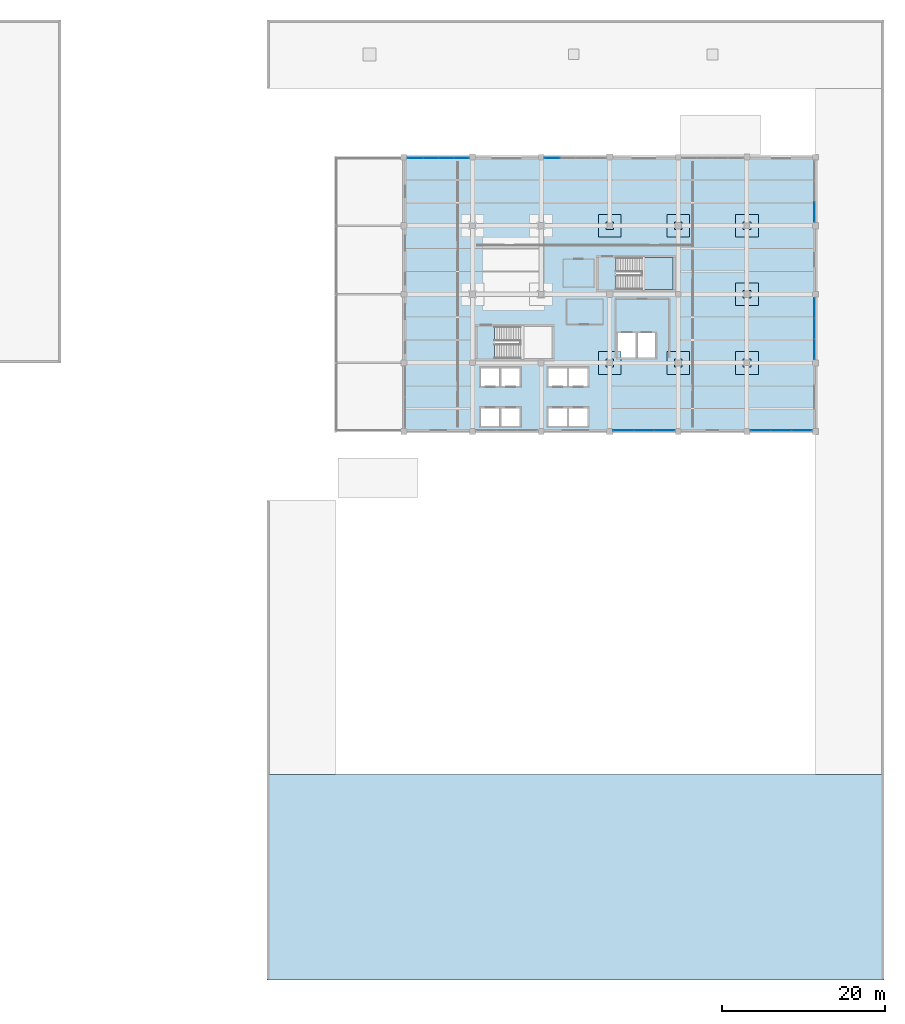
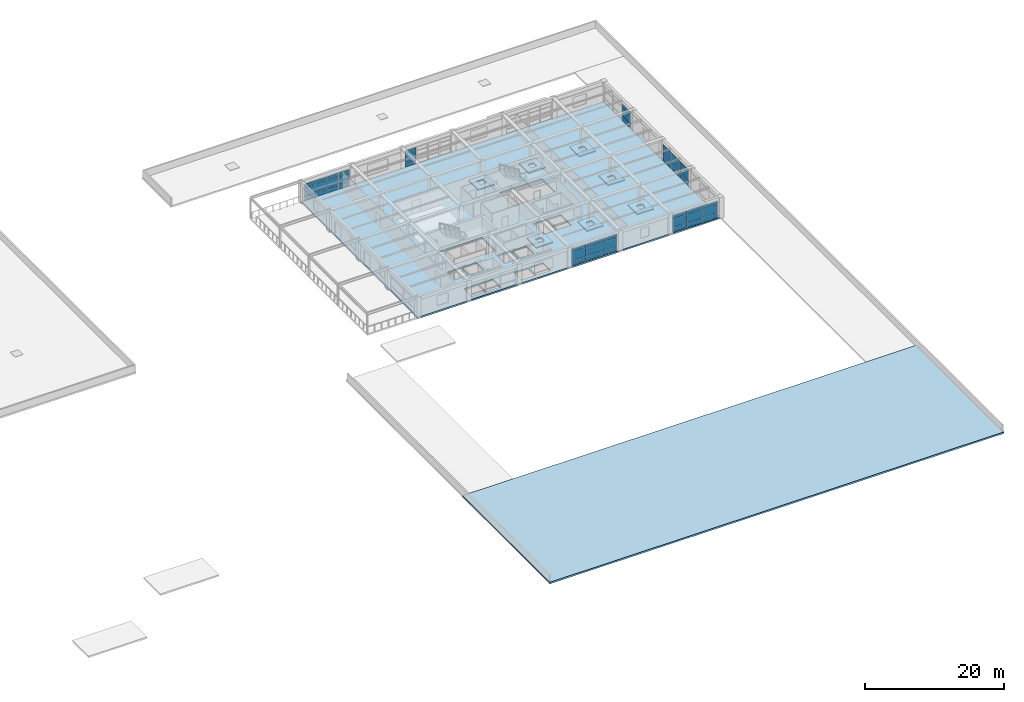
# One storey, part 28 of 35: 45 plates, 10 slabs, 7 elements without a shape of their own.
"""IFC4 building model written with IfcOpenShell, lengths in metres."""

import ifcopenshell
import ifcopenshell.guid

model = None  # the IFC model being written
_history = None  # IfcOwnerHistory: only IFC2X3 demands one
_inside = {}  # id of a spatial element -> (the spatial element, [elements in it])
_under = {}  # id of a project, library or spatial element -> (it, [spatial elements below it])
_declared = {}  # id of a project -> (the project, [libraries it declares])
_typed = {}  # id of a type object -> (the type object, [elements of that type])
_made_of = {}  # id of a material, layer set ... -> (it, [elements and type objects made of it])


def new_model(schema):
    """Start an empty IFC model of exactly this schema.

    Asked for "IFC4X3", IfcOpenShell would pick the latest addendum, in which some entities
    have other attributes; the version numbers below select the first issue.
    IFC2X3 requires an IfcOwnerHistory on every rooted entity: one is made here for all.
    """
    global model, _history
    if schema == "IFC4X3":
        model = ifcopenshell.file(schema_version=(4, 3, 0, 0))
    else:
        model = ifcopenshell.file(schema=schema)
    _inside.clear()
    _under.clear()
    _declared.clear()
    _typed.clear()
    _made_of.clear()
    _history = None
    if model.schema == "IFC2X3":
        org = make("IfcOrganization", Name="unknown")
        user = make(
            "IfcPersonAndOrganization",
            ThePerson=make("IfcPerson", FamilyName="unknown"),
            TheOrganization=org,
        )
        app = make(
            "IfcApplication",
            ApplicationDeveloper=org,
            Version="unknown",
            ApplicationFullName="unknown",
            ApplicationIdentifier="unknown",
        )
        _history = make(
            "IfcOwnerHistory",
            OwningUser=user,
            OwningApplication=app,
            ChangeAction="ADDED",
            CreationDate=0,
        )
    return model


def make(cls, **values):
    """One entity of the class cls with the attributes given. An attribute that is None is left unset."""
    return model.create_entity(
        cls, **{name: value for name, value in values.items() if value is not None}
    )


def rooted(cls, **values):
    """An entity with a GlobalId (a new one), such as an element, a storey or a relation."""
    return make(cls, GlobalId=ifcopenshell.guid.new(), OwnerHistory=_history, **values)


def si_unit(unit_type, name, prefix=None):
    """IfcSIUnit, for example si_unit("LENGTHUNIT", "METRE", prefix="MILLI")."""
    return make("IfcSIUnit", UnitType=unit_type, Prefix=prefix, Name=name)


def assignment(units):
    """IfcUnitAssignment: the units of a project."""
    return None if units is None else make("IfcUnitAssignment", Units=units)


def point(xyz):
    """IfcCartesianPoint."""
    return None if xyz is None else make("IfcCartesianPoint", Coordinates=xyz)


def direction(xyz):
    """IfcDirection."""
    return None if xyz is None else make("IfcDirection", DirectionRatios=xyz)


def frame(location, z_axis=None, x_axis=None):
    """IfcAxis2Placement3D, a coordinate frame: its origin and axes. An axis left out is left unset."""
    return make(
        "IfcAxis2Placement3D",
        Location=point(location),
        Axis=direction(z_axis),
        RefDirection=direction(x_axis),
    )


def frame_2d(location, x_axis=None):
    """IfcAxis2Placement2D, a coordinate frame in the plane: its origin and x axis."""
    return make(
        "IfcAxis2Placement2D", Location=point(location), RefDirection=direction(x_axis)
    )


def origin():
    """The frame at (0, 0, 0) with its axes left unset."""
    return frame((0.0, 0.0, 0.0))


def origin_2d():
    """The frame at (0, 0) in the plane with its x axis left unset."""
    return frame_2d((0.0, 0.0))


def place(relative_to, where):
    """IfcLocalPlacement: puts the frame where relative to a parent placement (None: the world)."""
    return make(
        "IfcLocalPlacement", PlacementRelTo=relative_to, RelativePlacement=where
    )


def context(
    kind, dimensions, precision=None, world=None, true_north=None, identifier=None
):
    """IfcGeometricRepresentationContext, for example the 3D "Model" context."""
    return make(
        "IfcGeometricRepresentationContext",
        ContextIdentifier=identifier,
        ContextType=kind,
        CoordinateSpaceDimension=dimensions,
        Precision=precision,
        WorldCoordinateSystem=world,
        TrueNorth=true_north,
    )


def subcontext(parent, identifier, kind, view, scale=None):
    """IfcGeometricRepresentationSubContext, for example "Body" below "Model"."""
    return make(
        "IfcGeometricRepresentationSubContext",
        ContextIdentifier=identifier,
        ContextType=kind,
        ParentContext=parent,
        TargetScale=scale,
        TargetView=view,
    )


def project(units=None, contexts=None):
    """IfcProject with its units and contexts."""
    return rooted(
        "IfcProject",
        Name="project",
        RepresentationContexts=contexts,
        UnitsInContext=assignment(units),
    )


def spatial(cls, under=None, at=None, **own):
    """A site, building, storey or space (cls), placed at a placement, below another one or the project."""
    s = rooted(cls, ObjectPlacement=at, **own)
    if under is not None:
        _under.setdefault(under.id(), (under, []))[1].append(s)
    return s


def polyline(points):
    """IfcPolyline through the points."""
    return make("IfcPolyline", Points=[point(p) for p in points])


def profile(cls, at=None, kind="AREA", **sizes):
    """A parametric profile (cls). Its sizes go by their IFC names, for example OverallWidth=200.0."""
    return make(cls, ProfileType=kind, Position=at, **sizes)


def rectangle(**sizes):
    """IfcRectangleProfileDef."""
    return profile("IfcRectangleProfileDef", **sizes)


def outline(outer, holes=None, kind="AREA"):
    """IfcArbitraryClosedProfileDef: a profile drawn as a closed curve; with holes, ...WithVoids."""
    if holes is None:
        return make("IfcArbitraryClosedProfileDef", ProfileType=kind, OuterCurve=outer)
    return make(
        "IfcArbitraryProfileDefWithVoids",
        ProfileType=kind,
        OuterCurve=outer,
        InnerCurves=holes,
    )


def extrude(swept, where, along, depth):
    """IfcExtrudedAreaSolid: the profile swept, set in the frame where, extruded along a direction by depth."""
    return make(
        "IfcExtrudedAreaSolid",
        SweptArea=swept,
        Position=where,
        ExtrudedDirection=direction(along),
        Depth=depth,
    )


def shape(context_of_items, identifier, shape_type, items):
    """IfcShapeRepresentation: the items that make up one representation, for example the "Body"."""
    return make(
        "IfcShapeRepresentation",
        ContextOfItems=context_of_items,
        RepresentationIdentifier=identifier,
        RepresentationType=shape_type,
        Items=items,
    )


def material(Name=None, Category=None):
    """IfcMaterial."""
    return make("IfcMaterial", Name=Name, Category=Category)


def layer(
    of_material, thickness, ventilated=None, Name=None, Category=None, Priority=None
):
    """IfcMaterialLayer: one layer of a wall or slab, of a material (None: an air gap)."""
    return make(
        "IfcMaterialLayer",
        Material=of_material,
        LayerThickness=thickness,
        IsVentilated=ventilated,
        Name=Name,
        Category=Category,
        Priority=Priority,
    )


def layer_set(layers, Name=None):
    """IfcMaterialLayerSet."""
    return make("IfcMaterialLayerSet", MaterialLayers=layers, LayerSetName=Name)


def made_of(thing, what):
    """Note that an element or type object is made of a material, layer set ...; save() writes the relation."""
    if what is not None:
        _made_of.setdefault(what.id(), (what, []))[1].append(thing)
    return thing


def type_object(cls, material=None, **own):
    """A type object (cls), such as IfcWallType, which elements share."""
    return made_of(rooted(cls, **own), material)


def element(
    cls,
    number,
    at=None,
    inside=None,
    cuts=None,
    type_object=None,
    material=None,
    context=None,
    identifier="Body",
    shape_type=None,
    held_by="IfcProductDefinitionShape",
    body=None,
    shapes=None,
    **own,
):
    """One element of the class cls, such as IfcWall. Its Tag is "e" and its number.

    at: its placement. inside: the storey or other place that contains it. cuts: it is an
    opening in that element (IfcRelVoidsElement). A single representation is given by context,
    identifier, shape_type and body (its items); several are given by shapes. held_by: the class
    of the entity that holds the representations. save() writes the other relations.
    """
    e = rooted(cls, Tag="e%d" % number, ObjectPlacement=at, **own)
    if body is not None:
        shapes = [shape(context, identifier, shape_type, body)]
    if shapes is not None:
        e.Representation = make(held_by, Representations=shapes)
    if inside is not None:
        _inside.setdefault(inside.id(), (inside, []))[1].append(e)
    if cuts is not None:
        rooted(
            "IfcRelVoidsElement", RelatingBuildingElement=cuts, RelatedOpeningElement=e
        )
    if type_object is not None:
        _typed.setdefault(type_object.id(), (type_object, []))[1].append(e)
    return made_of(e, material)


def aggregate(whole, parts):
    """IfcRelAggregates: a whole, such as a stair, and the parts it consists of."""
    return rooted("IfcRelAggregates", RelatingObject=whole, RelatedObjects=parts)


def save(model, path):
    """Write the relations noted so far, then the file.

    IfcRelAggregates (storeys below a building ...), IfcRelContainedInSpatialStructure (elements
    in a storey), IfcRelDefinesByType, IfcRelAssociatesMaterial and IfcRelDeclares: one each for
    every whole, place, type object, material and project.
    """
    for whole, parts in _under.values():
        aggregate(whole, parts)
    for where, things in _inside.values():
        rooted(
            "IfcRelContainedInSpatialStructure",
            RelatedElements=things,
            RelatingStructure=where,
        )
    for kind, things in _typed.values():
        rooted("IfcRelDefinesByType", RelatedObjects=things, RelatingType=kind)
    for what, things in _made_of.values():
        rooted("IfcRelAssociatesMaterial", RelatedObjects=things, RelatingMaterial=what)
    for by, libraries in _declared.values():
        rooted("IfcRelDeclares", RelatingContext=by, RelatedDefinitions=libraries)
    model.write(path)


model = new_model("IFC4")

# Units and contexts
model_context = context("Model", 3, precision=1e-05, world=origin(), true_north=direction((0.0, 1.0)))
body_context = subcontext(model_context, "Body", "Model", "MODEL_VIEW")
ifc_project = project(units=[si_unit("LENGTHUNIT", "METRE"), si_unit("AREAUNIT", "SQUARE_METRE"), si_unit("VOLUMEUNIT", "CUBIC_METRE"), si_unit("PLANEANGLEUNIT", "RADIAN"), si_unit("MASSUNIT", "GRAM", prefix="KILO")], contexts=[model_context])

# Site, building, storey
site_placement = place(None, origin())
site = spatial("IfcSite", under=ifc_project, at=site_placement, CompositionType="ELEMENT")
building_placement = place(site_placement, origin())
building = spatial("IfcBuilding", under=site, at=building_placement, Name="Almacenes y Pasaje Nevantli", CompositionType="ELEMENT")
storey_placement = place(building_placement, frame((0.0, 0.0, 26.699951171875)))
storey = spatial("IfcBuildingStorey", under=building, at=storey_placement, Name="L06", CompositionType="ELEMENT", Elevation=26.699951171875)

# Curtain wall, plates
ifc_material_1 = material(Name="Thermally Broken Aluminium and Low-E Glass", Category="aluminium")
curtain_wall_type = type_object("IfcCurtainWallType", Name="CW-UNIT-TOWER", PredefinedType="USERDEFINED", material=ifc_material_1)
curtain_wall_1_placement = place(storey_placement, origin())
curtain_wall_1 = element("IfcCurtainWall", 1, at=curtain_wall_1_placement, inside=storey, type_object=curtain_wall_type, Name="L06 Tower South Unitized Curtain Wall Bay 17", ObjectType="UNITIZED CURTAIN WALL", PredefinedType="USERDEFINED")
ifc_material_2 = material(Name="Low-E Double Glazed Insulated Unit", Category="glass")
ifc_layer_1 = layer(ifc_material_2, 0.031982421875)
ifc_layer_set_1 = layer_set([ifc_layer_1], Name="Low-E Double Glazed Insulated Unit")
plate_type_1 = type_object("IfcPlateType", Name="PL-IGU-32", PredefinedType="CURTAIN_PANEL", material=ifc_layer_set_1)
plate_1_placement = place(storey_placement, frame((136.081787109375, 67.320068359375, 0.06005859375), z_axis=(0.0, 0.0, 1.0), x_axis=(1.0, 0.0, 0.0)))
plate_1 = element("IfcPlate", 2, at=plate_1_placement, type_object=plate_type_1, Name="CW-L06-105 panel 1.1", PredefinedType="CURTAIN_PANEL", context=body_context, shape_type="SweptSolid", body=[
    extrude(rectangle(XDim=2.443359375, YDim=0.031982421875, at=origin_2d()), origin(), (0.0, 0.0, 1.0), 0.760009765625),
])
plate_2_placement = place(storey_placement, frame((136.081787109375, 67.320068359375, 0.880126953125), z_axis=(0.0, 0.0, 1.0), x_axis=(1.0, 0.0, 0.0)))
plate_2 = element("IfcPlate", 3, at=plate_2_placement, type_object=plate_type_1, Name="CW-L06-105 panel 1.2", PredefinedType="CURTAIN_PANEL", context=body_context, shape_type="SweptSolid", body=[
    extrude(rectangle(XDim=2.443359375, YDim=0.031982421875, at=origin_2d()), origin(), (0.0, 0.0, 1.0), 1.43994140625),
])
plate_3_placement = place(storey_placement, frame((136.081787109375, 67.320068359375, 2.3798828125), z_axis=(0.0, 0.0, 1.0), x_axis=(1.0, 0.0, 0.0)))
plate_3 = element("IfcPlate", 4, at=plate_3_placement, type_object=plate_type_1, Name="CW-L06-105 panel 1.3", PredefinedType="CURTAIN_PANEL", context=body_context, shape_type="SweptSolid", body=[
    extrude(rectangle(XDim=2.443359375, YDim=0.031982421875, at=origin_2d()), origin(), (0.0, 0.0, 1.0), 0.60009765625),
])
plate_4_placement = place(storey_placement, frame((138.60009765625, 67.320068359375, 0.06005859375), z_axis=(0.0, 0.0, 1.0), x_axis=(1.0, 0.0, 0.0)))
plate_4 = element("IfcPlate", 5, at=plate_4_placement, type_object=plate_type_1, Name="CW-L06-105 panel 2.1", PredefinedType="CURTAIN_PANEL", context=body_context, shape_type="SweptSolid", body=[
    extrude(rectangle(XDim=2.473388671875, YDim=0.031982421875, at=origin_2d()), origin(), (0.0, 0.0, 1.0), 0.760009765625),
])
plate_5_placement = place(storey_placement, frame((138.60009765625, 67.320068359375, 0.880126953125), z_axis=(0.0, 0.0, 1.0), x_axis=(1.0, 0.0, 0.0)))
plate_5 = element("IfcPlate", 6, at=plate_5_placement, type_object=plate_type_1, Name="CW-L06-105 panel 2.2", PredefinedType="CURTAIN_PANEL", context=body_context, shape_type="SweptSolid", body=[
    extrude(rectangle(XDim=2.473388671875, YDim=0.031982421875, at=origin_2d()), origin(), (0.0, 0.0, 1.0), 1.43994140625),
])
plate_6_placement = place(storey_placement, frame((138.60009765625, 67.320068359375, 2.3798828125), z_axis=(0.0, 0.0, 1.0), x_axis=(1.0, 0.0, 0.0)))
plate_6 = element("IfcPlate", 7, at=plate_6_placement, type_object=plate_type_1, Name="CW-L06-105 panel 2.3", PredefinedType="CURTAIN_PANEL", context=body_context, shape_type="SweptSolid", body=[
    extrude(rectangle(XDim=2.473388671875, YDim=0.031982421875, at=origin_2d()), origin(), (0.0, 0.0, 1.0), 0.60009765625),
])
plate_7_placement = place(storey_placement, frame((141.118408203125, 67.320068359375, 0.06005859375), z_axis=(0.0, 0.0, 1.0), x_axis=(1.0, 0.0, 0.0)))
plate_7 = element("IfcPlate", 8, at=plate_7_placement, type_object=plate_type_1, Name="CW-L06-105 panel 3.1", PredefinedType="CURTAIN_PANEL", context=body_context, shape_type="SweptSolid", body=[
    extrude(rectangle(XDim=2.443359375, YDim=0.031982421875, at=origin_2d()), origin(), (0.0, 0.0, 1.0), 0.760009765625),
])
plate_8_placement = place(storey_placement, frame((141.118408203125, 67.320068359375, 0.880126953125), z_axis=(0.0, 0.0, 1.0), x_axis=(1.0, 0.0, 0.0)))
plate_8 = element("IfcPlate", 9, at=plate_8_placement, type_object=plate_type_1, Name="CW-L06-105 panel 3.2", PredefinedType="CURTAIN_PANEL", context=body_context, shape_type="SweptSolid", body=[
    extrude(rectangle(XDim=2.443359375, YDim=0.031982421875, at=origin_2d()), origin(), (0.0, 0.0, 1.0), 1.43994140625),
])
plate_9_placement = place(storey_placement, frame((141.118408203125, 67.320068359375, 2.3798828125), z_axis=(0.0, 0.0, 1.0), x_axis=(1.0, 0.0, 0.0)))
plate_9 = element("IfcPlate", 10, at=plate_9_placement, type_object=plate_type_1, Name="CW-L06-105 panel 3.3", PredefinedType="CURTAIN_PANEL", context=body_context, shape_type="SweptSolid", body=[
    extrude(rectangle(XDim=2.443359375, YDim=0.031982421875, at=origin_2d()), origin(), (0.0, 0.0, 1.0), 0.60009765625),
])
aggregate(curtain_wall_1, [plate_1, plate_2, plate_3, plate_4, plate_5, plate_6, plate_7, plate_8, plate_9])

curtain_wall_2_placement = place(storey_placement, origin())
curtain_wall_2 = element("IfcCurtainWall", 11, at=curtain_wall_2_placement, inside=storey, type_object=curtain_wall_type, Name="L06 Tower South Unitized Curtain Wall Bay 19", ObjectType="UNITIZED CURTAIN WALL", PredefinedType="USERDEFINED")
plate_10_placement = place(storey_placement, frame((152.881591796875, 67.320068359375, 0.06005859375), z_axis=(0.0, 0.0, 1.0), x_axis=(1.0, 0.0, 0.0)))
plate_10 = element("IfcPlate", 12, at=plate_10_placement, type_object=plate_type_1, Name="CW-L06-107 panel 1.1", PredefinedType="CURTAIN_PANEL", context=body_context, shape_type="SweptSolid", body=[
    extrude(rectangle(XDim=2.443359375, YDim=0.031982421875, at=origin_2d()), origin(), (0.0, 0.0, 1.0), 0.760009765625),
])
plate_11_placement = place(storey_placement, frame((152.881591796875, 67.320068359375, 0.880126953125), z_axis=(0.0, 0.0, 1.0), x_axis=(1.0, 0.0, 0.0)))
plate_11 = element("IfcPlate", 13, at=plate_11_placement, type_object=plate_type_1, Name="CW-L06-107 panel 1.2", PredefinedType="CURTAIN_PANEL", context=body_context, shape_type="SweptSolid", body=[
    extrude(rectangle(XDim=2.443359375, YDim=0.031982421875, at=origin_2d()), origin(), (0.0, 0.0, 1.0), 1.43994140625),
])
plate_12_placement = place(storey_placement, frame((152.881591796875, 67.320068359375, 2.3798828125), z_axis=(0.0, 0.0, 1.0), x_axis=(1.0, 0.0, 0.0)))
plate_12 = element("IfcPlate", 14, at=plate_12_placement, type_object=plate_type_1, Name="CW-L06-107 panel 1.3", PredefinedType="CURTAIN_PANEL", context=body_context, shape_type="SweptSolid", body=[
    extrude(rectangle(XDim=2.443359375, YDim=0.031982421875, at=origin_2d()), origin(), (0.0, 0.0, 1.0), 0.60009765625),
])
plate_13_placement = place(storey_placement, frame((155.39990234375, 67.320068359375, 0.06005859375), z_axis=(0.0, 0.0, 1.0), x_axis=(1.0, 0.0, 0.0)))
plate_13 = element("IfcPlate", 15, at=plate_13_placement, type_object=plate_type_1, Name="CW-L06-107 panel 2.1", PredefinedType="CURTAIN_PANEL", context=body_context, shape_type="SweptSolid", body=[
    extrude(rectangle(XDim=2.473388671875, YDim=0.031982421875, at=origin_2d()), origin(), (0.0, 0.0, 1.0), 0.760009765625),
])
plate_14_placement = place(storey_placement, frame((155.39990234375, 67.320068359375, 0.880126953125), z_axis=(0.0, 0.0, 1.0), x_axis=(1.0, 0.0, 0.0)))
plate_14 = element("IfcPlate", 16, at=plate_14_placement, type_object=plate_type_1, Name="CW-L06-107 panel 2.2", PredefinedType="CURTAIN_PANEL", context=body_context, shape_type="SweptSolid", body=[
    extrude(rectangle(XDim=2.473388671875, YDim=0.031982421875, at=origin_2d()), origin(), (0.0, 0.0, 1.0), 1.43994140625),
])
plate_15_placement = place(storey_placement, frame((155.39990234375, 67.320068359375, 2.3798828125), z_axis=(0.0, 0.0, 1.0), x_axis=(1.0, 0.0, 0.0)))
plate_15 = element("IfcPlate", 17, at=plate_15_placement, type_object=plate_type_1, Name="CW-L06-107 panel 2.3", PredefinedType="CURTAIN_PANEL", context=body_context, shape_type="SweptSolid", body=[
    extrude(rectangle(XDim=2.473388671875, YDim=0.031982421875, at=origin_2d()), origin(), (0.0, 0.0, 1.0), 0.60009765625),
])
plate_16_placement = place(storey_placement, frame((157.918212890625, 67.320068359375, 0.06005859375), z_axis=(0.0, 0.0, 1.0), x_axis=(1.0, 0.0, 0.0)))
plate_16 = element("IfcPlate", 18, at=plate_16_placement, type_object=plate_type_1, Name="CW-L06-107 panel 3.1", PredefinedType="CURTAIN_PANEL", context=body_context, shape_type="SweptSolid", body=[
    extrude(rectangle(XDim=2.443359375, YDim=0.031982421875, at=origin_2d()), origin(), (0.0, 0.0, 1.0), 0.760009765625),
])
plate_17_placement = place(storey_placement, frame((157.918212890625, 67.320068359375, 0.880126953125), z_axis=(0.0, 0.0, 1.0), x_axis=(1.0, 0.0, 0.0)))
plate_17 = element("IfcPlate", 19, at=plate_17_placement, type_object=plate_type_1, Name="CW-L06-107 panel 3.2", PredefinedType="CURTAIN_PANEL", context=body_context, shape_type="SweptSolid", body=[
    extrude(rectangle(XDim=2.443359375, YDim=0.031982421875, at=origin_2d()), origin(), (0.0, 0.0, 1.0), 1.43994140625),
])
plate_18_placement = place(storey_placement, frame((157.918212890625, 67.320068359375, 2.3798828125), z_axis=(0.0, 0.0, 1.0), x_axis=(1.0, 0.0, 0.0)))
plate_18 = element("IfcPlate", 20, at=plate_18_placement, type_object=plate_type_1, Name="CW-L06-107 panel 3.3", PredefinedType="CURTAIN_PANEL", context=body_context, shape_type="SweptSolid", body=[
    extrude(rectangle(XDim=2.443359375, YDim=0.031982421875, at=origin_2d()), origin(), (0.0, 0.0, 1.0), 0.60009765625),
])
aggregate(curtain_wall_2, [plate_10, plate_11, plate_12, plate_13, plate_14, plate_15, plate_16, plate_17, plate_18])

curtain_wall_3_placement = place(storey_placement, origin())
curtain_wall_3 = element("IfcCurtainWall", 21, at=curtain_wall_3_placement, inside=storey, type_object=curtain_wall_type, Name="L06 Tower North Boulevard Unitized Curtain Wall Bay 14", ObjectType="UNITIZED CURTAIN WALL", PredefinedType="USERDEFINED")
ifc_material_3 = material(Name="Acoustic Tempered Low-E Triple Glazed Unit", Category="glass")
ifc_layer_2 = layer(ifc_material_3, 0.0419921875)
ifc_layer_set_2 = layer_set([ifc_layer_2], Name="Acoustic Tempered Low-E Triple Glazed Unit")
plate_type_2 = type_object("IfcPlateType", Name="PL-IGU-42", PredefinedType="CURTAIN_PANEL", material=ifc_layer_set_2)
plate_19_placement = place(storey_placement, frame((110.566162109375, 100.679931640625, 0.065185546875), z_axis=(0.0, 0.0, 1.0), x_axis=(1.0, 0.0, 0.0)))
plate_19 = element("IfcPlate", 22, at=plate_19_placement, type_object=plate_type_2, Name="CW-L06-102 panel 1.1", PredefinedType="CURTAIN_PANEL", context=body_context, shape_type="SweptSolid", body=[
    extrude(rectangle(XDim=1.802490234375, YDim=0.0419921875, at=origin_2d()), origin(), (0.0, 0.0, 1.0), 0.75244140625),
])
plate_20_placement = place(storey_placement, frame((110.566162109375, 100.679931640625, 0.882568359375), z_axis=(0.0, 0.0, 1.0), x_axis=(1.0, 0.0, 0.0)))
plate_20 = element("IfcPlate", 23, at=plate_20_placement, type_object=plate_type_2, Name="CW-L06-102 panel 1.2", PredefinedType="CURTAIN_PANEL", context=body_context, shape_type="SweptSolid", body=[
    extrude(rectangle(XDim=1.802490234375, YDim=0.0419921875, at=origin_2d()), origin(), (0.0, 0.0, 1.0), 1.43505859375),
])
plate_21_placement = place(storey_placement, frame((110.566162109375, 100.679931640625, 2.38232421875), z_axis=(0.0, 0.0, 1.0), x_axis=(1.0, 0.0, 0.0)))
plate_21 = element("IfcPlate", 24, at=plate_21_placement, type_object=plate_type_2, Name="CW-L06-102 panel 1.3", PredefinedType="CURTAIN_PANEL", context=body_context, shape_type="SweptSolid", body=[
    extrude(rectangle(XDim=1.802490234375, YDim=0.0419921875, at=origin_2d()), origin(), (0.0, 0.0, 1.0), 0.592529296875),
])
plate_22_placement = place(storey_placement, frame((112.449951171875, 100.679931640625, 0.065185546875), z_axis=(0.0, 0.0, 1.0), x_axis=(1.0, 0.0, 0.0)))
plate_22 = element("IfcPlate", 25, at=plate_22_placement, type_object=plate_type_2, Name="CW-L06-102 panel 2.1", PredefinedType="CURTAIN_PANEL", context=body_context, shape_type="SweptSolid", body=[
    extrude(rectangle(XDim=1.8349609375, YDim=0.0419921875, at=origin_2d()), origin(), (0.0, 0.0, 1.0), 0.75244140625),
])
plate_23_placement = place(storey_placement, frame((112.449951171875, 100.679931640625, 0.882568359375), z_axis=(0.0, 0.0, 1.0), x_axis=(1.0, 0.0, 0.0)))
plate_23 = element("IfcPlate", 26, at=plate_23_placement, type_object=plate_type_2, Name="CW-L06-102 panel 2.2", PredefinedType="CURTAIN_PANEL", context=body_context, shape_type="SweptSolid", body=[
    extrude(rectangle(XDim=1.8349609375, YDim=0.0419921875, at=origin_2d()), origin(), (0.0, 0.0, 1.0), 1.43505859375),
])
plate_24_placement = place(storey_placement, frame((112.449951171875, 100.679931640625, 2.38232421875), z_axis=(0.0, 0.0, 1.0), x_axis=(1.0, 0.0, 0.0)))
plate_24 = element("IfcPlate", 27, at=plate_24_placement, type_object=plate_type_2, Name="CW-L06-102 panel 2.3", PredefinedType="CURTAIN_PANEL", context=body_context, shape_type="SweptSolid", body=[
    extrude(rectangle(XDim=1.8349609375, YDim=0.0419921875, at=origin_2d()), origin(), (0.0, 0.0, 1.0), 0.592529296875),
])
plate_25_placement = place(storey_placement, frame((114.35009765625, 100.679931640625, 0.065185546875), z_axis=(0.0, 0.0, 1.0), x_axis=(1.0, 0.0, 0.0)))
plate_25 = element("IfcPlate", 28, at=plate_25_placement, type_object=plate_type_2, Name="CW-L06-102 panel 3.1", PredefinedType="CURTAIN_PANEL", context=body_context, shape_type="SweptSolid", body=[
    extrude(rectangle(XDim=1.8349609375, YDim=0.0419921875, at=origin_2d()), origin(), (0.0, 0.0, 1.0), 0.75244140625),
])
plate_26_placement = place(storey_placement, frame((114.35009765625, 100.679931640625, 0.882568359375), z_axis=(0.0, 0.0, 1.0), x_axis=(1.0, 0.0, 0.0)))
plate_26 = element("IfcPlate", 29, at=plate_26_placement, type_object=plate_type_2, Name="CW-L06-102 panel 3.2", PredefinedType="CURTAIN_PANEL", context=body_context, shape_type="SweptSolid", body=[
    extrude(rectangle(XDim=1.8349609375, YDim=0.0419921875, at=origin_2d()), origin(), (0.0, 0.0, 1.0), 1.43505859375),
])
plate_27_placement = place(storey_placement, frame((114.35009765625, 100.679931640625, 2.38232421875), z_axis=(0.0, 0.0, 1.0), x_axis=(1.0, 0.0, 0.0)))
plate_27 = element("IfcPlate", 30, at=plate_27_placement, type_object=plate_type_2, Name="CW-L06-102 panel 3.3", PredefinedType="CURTAIN_PANEL", context=body_context, shape_type="SweptSolid", body=[
    extrude(rectangle(XDim=1.8349609375, YDim=0.0419921875, at=origin_2d()), origin(), (0.0, 0.0, 1.0), 0.592529296875),
])
plate_28_placement = place(storey_placement, frame((116.233642578125, 100.679931640625, 0.065185546875), z_axis=(0.0, 0.0, 1.0), x_axis=(1.0, 0.0, 0.0)))
plate_28 = element("IfcPlate", 31, at=plate_28_placement, type_object=plate_type_2, Name="CW-L06-102 panel 4.1", PredefinedType="CURTAIN_PANEL", context=body_context, shape_type="SweptSolid", body=[
    extrude(rectangle(XDim=1.802490234375, YDim=0.0419921875, at=origin_2d()), origin(), (0.0, 0.0, 1.0), 0.75244140625),
])
plate_29_placement = place(storey_placement, frame((116.233642578125, 100.679931640625, 0.882568359375), z_axis=(0.0, 0.0, 1.0), x_axis=(1.0, 0.0, 0.0)))
plate_29 = element("IfcPlate", 32, at=plate_29_placement, type_object=plate_type_2, Name="CW-L06-102 panel 4.2", PredefinedType="CURTAIN_PANEL", context=body_context, shape_type="SweptSolid", body=[
    extrude(rectangle(XDim=1.802490234375, YDim=0.0419921875, at=origin_2d()), origin(), (0.0, 0.0, 1.0), 1.43505859375),
])
plate_30_placement = place(storey_placement, frame((116.233642578125, 100.679931640625, 2.38232421875), z_axis=(0.0, 0.0, 1.0), x_axis=(1.0, 0.0, 0.0)))
plate_30 = element("IfcPlate", 33, at=plate_30_placement, type_object=plate_type_2, Name="CW-L06-102 panel 4.3", PredefinedType="CURTAIN_PANEL", context=body_context, shape_type="SweptSolid", body=[
    extrude(rectangle(XDim=1.802490234375, YDim=0.0419921875, at=origin_2d()), origin(), (0.0, 0.0, 1.0), 0.592529296875),
])
aggregate(curtain_wall_3, [plate_19, plate_20, plate_21, plate_22, plate_23, plate_24, plate_25, plate_26, plate_27, plate_28, plate_29, plate_30])

curtain_wall_4_placement = place(storey_placement, origin())
curtain_wall_4 = element("IfcCurtainWall", 34, at=curtain_wall_4_placement, inside=storey, type_object=curtain_wall_type, Name="L06 Tower North Boulevard Unitized Curtain Wall Bay 16", ObjectType="UNITIZED CURTAIN WALL", PredefinedType="USERDEFINED")
plate_31_placement = place(storey_placement, frame((127.3662109375, 100.679931640625, 0.065185546875), z_axis=(0.0, 0.0, 1.0), x_axis=(1.0, 0.0, 0.0)))
plate_31 = element("IfcPlate", 35, at=plate_31_placement, type_object=plate_type_2, Name="CW-L06-104 panel 1.1", PredefinedType="CURTAIN_PANEL", context=body_context, shape_type="SweptSolid", body=[
    extrude(rectangle(XDim=1.802490234375, YDim=0.0419921875, at=origin_2d()), origin(), (0.0, 0.0, 1.0), 0.75244140625),
])
plate_32_placement = place(storey_placement, frame((127.3662109375, 100.679931640625, 0.882568359375), z_axis=(0.0, 0.0, 1.0), x_axis=(1.0, 0.0, 0.0)))
plate_32 = element("IfcPlate", 36, at=plate_32_placement, type_object=plate_type_2, Name="CW-L06-104 panel 1.2", PredefinedType="CURTAIN_PANEL", context=body_context, shape_type="SweptSolid", body=[
    extrude(rectangle(XDim=1.802490234375, YDim=0.0419921875, at=origin_2d()), origin(), (0.0, 0.0, 1.0), 1.43505859375),
])
plate_33_placement = place(storey_placement, frame((127.3662109375, 100.679931640625, 2.38232421875), z_axis=(0.0, 0.0, 1.0), x_axis=(1.0, 0.0, 0.0)))
plate_33 = element("IfcPlate", 37, at=plate_33_placement, type_object=plate_type_2, Name="CW-L06-104 panel 1.3", PredefinedType="CURTAIN_PANEL", context=body_context, shape_type="SweptSolid", body=[
    extrude(rectangle(XDim=1.802490234375, YDim=0.0419921875, at=origin_2d()), origin(), (0.0, 0.0, 1.0), 0.592529296875),
])
aggregate(curtain_wall_4, [plate_31, plate_32, plate_33])

curtain_wall_5_placement = place(storey_placement, origin())
curtain_wall_5 = element("IfcCurtainWall", 38, at=curtain_wall_5_placement, inside=storey, type_object=curtain_wall_type, Name="L06 Tower East Curtain Wall Bay 10", ObjectType="UNITIZED CURTAIN WALL", PredefinedType="USERDEFINED")
plate_34_placement = place(storey_placement, frame((159.47998046875, 77.28173828125, 0.06005859375), z_axis=(0.0, 0.0, 1.0), x_axis=(0.0, 1.0, 0.0)))
plate_34 = element("IfcPlate", 39, at=plate_34_placement, type_object=plate_type_2, Name="CW-L06-109 panel 1.1", PredefinedType="CURTAIN_PANEL", context=body_context, shape_type="SweptSolid", body=[
    extrude(rectangle(XDim=2.443359375, YDim=0.0419921875, at=origin_2d()), origin(), (0.0, 0.0, 1.0), 0.760009765625),
])
plate_35_placement = place(storey_placement, frame((159.47998046875, 77.28173828125, 0.880126953125), z_axis=(0.0, 0.0, 1.0), x_axis=(0.0, 1.0, 0.0)))
plate_35 = element("IfcPlate", 40, at=plate_35_placement, type_object=plate_type_2, Name="CW-L06-109 panel 1.2", PredefinedType="CURTAIN_PANEL", context=body_context, shape_type="SweptSolid", body=[
    extrude(rectangle(XDim=2.443359375, YDim=0.0419921875, at=origin_2d()), origin(), (0.0, 0.0, 1.0), 1.43994140625),
])
plate_36_placement = place(storey_placement, frame((159.47998046875, 77.28173828125, 2.3798828125), z_axis=(0.0, 0.0, 1.0), x_axis=(0.0, 1.0, 0.0)))
plate_36 = element("IfcPlate", 41, at=plate_36_placement, type_object=plate_type_2, Name="CW-L06-109 panel 1.3", PredefinedType="CURTAIN_PANEL", context=body_context, shape_type="SweptSolid", body=[
    extrude(rectangle(XDim=2.443359375, YDim=0.0419921875, at=origin_2d()), origin(), (0.0, 0.0, 1.0), 0.60009765625),
])
plate_37_placement = place(storey_placement, frame((159.47998046875, 79.800048828125, 0.06005859375), z_axis=(0.0, 0.0, 1.0), x_axis=(0.0, 1.0, 0.0)))
plate_37 = element("IfcPlate", 42, at=plate_37_placement, type_object=plate_type_2, Name="CW-L06-109 panel 2.1", PredefinedType="CURTAIN_PANEL", context=body_context, shape_type="SweptSolid", body=[
    extrude(rectangle(XDim=2.473388671875, YDim=0.0419921875, at=origin_2d()), origin(), (0.0, 0.0, 1.0), 0.760009765625),
])
plate_38_placement = place(storey_placement, frame((159.47998046875, 79.800048828125, 0.880126953125), z_axis=(0.0, 0.0, 1.0), x_axis=(0.0, 1.0, 0.0)))
plate_38 = element("IfcPlate", 43, at=plate_38_placement, type_object=plate_type_2, Name="CW-L06-109 panel 2.2", PredefinedType="CURTAIN_PANEL", context=body_context, shape_type="SweptSolid", body=[
    extrude(rectangle(XDim=2.473388671875, YDim=0.0419921875, at=origin_2d()), origin(), (0.0, 0.0, 1.0), 1.43994140625),
])
plate_39_placement = place(storey_placement, frame((159.47998046875, 79.800048828125, 2.3798828125), z_axis=(0.0, 0.0, 1.0), x_axis=(0.0, 1.0, 0.0)))
plate_39 = element("IfcPlate", 44, at=plate_39_placement, type_object=plate_type_2, Name="CW-L06-109 panel 2.3", PredefinedType="CURTAIN_PANEL", context=body_context, shape_type="SweptSolid", body=[
    extrude(rectangle(XDim=2.473388671875, YDim=0.0419921875, at=origin_2d()), origin(), (0.0, 0.0, 1.0), 0.60009765625),
])
plate_40_placement = place(storey_placement, frame((159.47998046875, 82.318359375, 0.06005859375), z_axis=(0.0, 0.0, 1.0), x_axis=(0.0, 1.0, 0.0)))
plate_40 = element("IfcPlate", 45, at=plate_40_placement, type_object=plate_type_2, Name="CW-L06-109 panel 3.1", PredefinedType="CURTAIN_PANEL", context=body_context, shape_type="SweptSolid", body=[
    extrude(rectangle(XDim=2.443359375, YDim=0.0419921875, at=origin_2d()), origin(), (0.0, 0.0, 1.0), 0.760009765625),
])
plate_41_placement = place(storey_placement, frame((159.47998046875, 82.318359375, 0.880126953125), z_axis=(0.0, 0.0, 1.0), x_axis=(0.0, 1.0, 0.0)))
plate_41 = element("IfcPlate", 46, at=plate_41_placement, type_object=plate_type_2, Name="CW-L06-109 panel 3.2", PredefinedType="CURTAIN_PANEL", context=body_context, shape_type="SweptSolid", body=[
    extrude(rectangle(XDim=2.443359375, YDim=0.0419921875, at=origin_2d()), origin(), (0.0, 0.0, 1.0), 1.43994140625),
])
plate_42_placement = place(storey_placement, frame((159.47998046875, 82.318359375, 2.3798828125), z_axis=(0.0, 0.0, 1.0), x_axis=(0.0, 1.0, 0.0)))
plate_42 = element("IfcPlate", 47, at=plate_42_placement, type_object=plate_type_2, Name="CW-L06-109 panel 3.3", PredefinedType="CURTAIN_PANEL", context=body_context, shape_type="SweptSolid", body=[
    extrude(rectangle(XDim=2.443359375, YDim=0.0419921875, at=origin_2d()), origin(), (0.0, 0.0, 1.0), 0.60009765625),
])
aggregate(curtain_wall_5, [plate_34, plate_35, plate_36, plate_37, plate_38, plate_39, plate_40, plate_41, plate_42])

curtain_wall_6_placement = place(storey_placement, origin())
curtain_wall_6 = element("IfcCurtainWall", 48, at=curtain_wall_6_placement, inside=storey, type_object=curtain_wall_type, Name="L06 Tower East Curtain Wall Bay 12", ObjectType="UNITIZED CURTAIN WALL", PredefinedType="USERDEFINED")
plate_43_placement = place(storey_placement, frame((159.47998046875, 94.081787109375, 0.06005859375), z_axis=(0.0, 0.0, 1.0), x_axis=(0.0, 1.0, 0.0)))
plate_43 = element("IfcPlate", 49, at=plate_43_placement, type_object=plate_type_2, Name="CW-L06-110 panel 1.1", PredefinedType="CURTAIN_PANEL", context=body_context, shape_type="SweptSolid", body=[
    extrude(rectangle(XDim=2.443359375, YDim=0.0419921875, at=origin_2d()), origin(), (0.0, 0.0, 1.0), 0.760009765625),
])
plate_44_placement = place(storey_placement, frame((159.47998046875, 94.081787109375, 0.880126953125), z_axis=(0.0, 0.0, 1.0), x_axis=(0.0, 1.0, 0.0)))
plate_44 = element("IfcPlate", 50, at=plate_44_placement, type_object=plate_type_2, Name="CW-L06-110 panel 1.2", PredefinedType="CURTAIN_PANEL", context=body_context, shape_type="SweptSolid", body=[
    extrude(rectangle(XDim=2.443359375, YDim=0.0419921875, at=origin_2d()), origin(), (0.0, 0.0, 1.0), 1.43994140625),
])
plate_45_placement = place(storey_placement, frame((159.47998046875, 94.081787109375, 2.3798828125), z_axis=(0.0, 0.0, 1.0), x_axis=(0.0, 1.0, 0.0)))
plate_45 = element("IfcPlate", 51, at=plate_45_placement, type_object=plate_type_2, Name="CW-L06-110 panel 1.3", PredefinedType="CURTAIN_PANEL", context=body_context, shape_type="SweptSolid", body=[
    extrude(rectangle(XDim=2.443359375, YDim=0.0419921875, at=origin_2d()), origin(), (0.0, 0.0, 1.0), 0.60009765625),
])
aggregate(curtain_wall_6, [plate_43, plate_44, plate_45])

# Slabs
ifc_material_4 = material(Name="Concrete C35/45", Category="concrete")
ifc_layer_3 = layer(ifc_material_4, 0.22998046875)
ifc_layer_set_3 = layer_set([ifc_layer_3], Name="Concrete C35/45")
slab_type_1 = type_object("IfcSlabType", Name="SLB-DP-230", PredefinedType="USERDEFINED", material=ifc_layer_set_3)
slab_1_placement = place(storey_placement, frame((0.0, 0.0, -0.510009765625)))
element("IfcSlab", 52, at=slab_1_placement, inside=storey, type_object=slab_type_1, Name="L06 Punching-Shear Drop Panel DP-01 #1103", ObjectType="DROP PANEL", PredefinedType="USERDEFINED", context=body_context, shape_type="SweptSolid", body=[
    extrude(outline(polyline([(133.0, 74.199951171875), (135.800048828125, 74.199951171875), (135.800048828125, 77.0), (133.0, 77.0), (133.0, 74.199951171875)]), holes=[polyline([(133.919921875, 75.1201171875), (134.8798828125, 75.1201171875), (134.8798828125, 76.080078125), (133.919921875, 76.080078125), (133.919921875, 75.1201171875)])]), origin(), (0.0, 0.0, 1.0), 0.22998046875),
])
slab_2_placement = place(storey_placement, frame((0.0, 0.0, -0.510009765625)))
element("IfcSlab", 53, at=slab_2_placement, inside=storey, type_object=slab_type_1, Name="L06 Punching-Shear Drop Panel DP-01 #1104", ObjectType="DROP PANEL", PredefinedType="USERDEFINED", context=body_context, shape_type="SweptSolid", body=[
    extrude(outline(polyline([(133.0, 91.0), (135.800048828125, 91.0), (135.800048828125, 93.800048828125), (133.0, 93.800048828125), (133.0, 91.0)]), holes=[polyline([(133.919921875, 91.919921875), (134.8798828125, 91.919921875), (134.8798828125, 92.8798828125), (133.919921875, 92.8798828125), (133.919921875, 91.919921875)])]), origin(), (0.0, 0.0, 1.0), 0.22998046875),
])
slab_3_placement = place(storey_placement, frame((0.0, 0.0, -0.510009765625)))
element("IfcSlab", 54, at=slab_3_placement, inside=storey, type_object=slab_type_1, Name="L06 Punching-Shear Drop Panel DP-01 #1105", ObjectType="DROP PANEL", PredefinedType="USERDEFINED", context=body_context, shape_type="SweptSolid", body=[
    extrude(outline(polyline([(141.39990234375, 74.199951171875), (144.199951171875, 74.199951171875), (144.199951171875, 77.0), (141.39990234375, 77.0), (141.39990234375, 74.199951171875)]), holes=[polyline([(142.320068359375, 75.1201171875), (143.280029296875, 75.1201171875), (143.280029296875, 76.080078125), (142.320068359375, 76.080078125), (142.320068359375, 75.1201171875)])]), origin(), (0.0, 0.0, 1.0), 0.22998046875),
])
slab_4_placement = place(storey_placement, frame((0.0, 0.0, -0.510009765625)))
element("IfcSlab", 55, at=slab_4_placement, inside=storey, type_object=slab_type_1, Name="L06 Punching-Shear Drop Panel DP-01 #1106", ObjectType="DROP PANEL", PredefinedType="USERDEFINED", context=body_context, shape_type="SweptSolid", body=[
    extrude(outline(polyline([(141.39990234375, 91.0), (144.199951171875, 91.0), (144.199951171875, 93.800048828125), (141.39990234375, 93.800048828125), (141.39990234375, 91.0)]), holes=[polyline([(142.320068359375, 91.919921875), (143.280029296875, 91.919921875), (143.280029296875, 92.8798828125), (142.320068359375, 92.8798828125), (142.320068359375, 91.919921875)])]), origin(), (0.0, 0.0, 1.0), 0.22998046875),
])
slab_5_placement = place(storey_placement, frame((0.0, 0.0, -0.510009765625)))
element("IfcSlab", 56, at=slab_5_placement, inside=storey, type_object=slab_type_1, Name="L06 Punching-Shear Drop Panel DP-01 #1107", ObjectType="DROP PANEL", PredefinedType="USERDEFINED", context=body_context, shape_type="SweptSolid", body=[
    extrude(outline(polyline([(149.800048828125, 74.199951171875), (152.60009765625, 74.199951171875), (152.60009765625, 77.0), (149.800048828125, 77.0), (149.800048828125, 74.199951171875)]), holes=[polyline([(150.719970703125, 75.1201171875), (151.679931640625, 75.1201171875), (151.679931640625, 76.080078125), (150.719970703125, 76.080078125), (150.719970703125, 75.1201171875)])]), origin(), (0.0, 0.0, 1.0), 0.22998046875),
])
slab_6_placement = place(storey_placement, frame((0.0, 0.0, -0.510009765625)))
element("IfcSlab", 57, at=slab_6_placement, inside=storey, type_object=slab_type_1, Name="L06 Punching-Shear Drop Panel DP-01 #1108", ObjectType="DROP PANEL", PredefinedType="USERDEFINED", context=body_context, shape_type="SweptSolid", body=[
    extrude(outline(polyline([(149.800048828125, 82.60009765625), (152.60009765625, 82.60009765625), (152.60009765625, 85.39990234375), (149.800048828125, 85.39990234375), (149.800048828125, 82.60009765625)]), holes=[polyline([(150.719970703125, 83.52001953125), (151.679931640625, 83.52001953125), (151.679931640625, 84.47998046875), (150.719970703125, 84.47998046875), (150.719970703125, 83.52001953125)])]), origin(), (0.0, 0.0, 1.0), 0.22998046875),
])
slab_7_placement = place(storey_placement, frame((0.0, 0.0, -0.510009765625)))
element("IfcSlab", 58, at=slab_7_placement, inside=storey, type_object=slab_type_1, Name="L06 Punching-Shear Drop Panel DP-01 #1109", ObjectType="DROP PANEL", PredefinedType="USERDEFINED", context=body_context, shape_type="SweptSolid", body=[
    extrude(outline(polyline([(149.800048828125, 91.0), (152.60009765625, 91.0), (152.60009765625, 93.800048828125), (149.800048828125, 93.800048828125), (149.800048828125, 91.0)]), holes=[polyline([(150.719970703125, 91.919921875), (151.679931640625, 91.919921875), (151.679931640625, 92.8798828125), (150.719970703125, 92.8798828125), (150.719970703125, 91.919921875)])]), origin(), (0.0, 0.0, 1.0), 0.22998046875),
])
ifc_material_5 = material(Name="Concrete C35/45", Category="concrete")
ifc_layer_4 = layer(ifc_material_5, 0.280029296875)
ifc_layer_set_4 = layer_set([ifc_layer_4], Name="Concrete C35/45")
slab_type_2 = type_object("IfcSlabType", Name="SLB-FLR-280", PredefinedType="FLOOR", material=ifc_layer_set_4)
slab_8_placement = place(storey_placement, frame((0.0, 0.0, -0.280029296875)))
element("IfcSlab", 59, at=slab_8_placement, inside=storey, type_object=slab_type_2, Name="L06 Corporate Office Tower Floor Slab", PredefinedType="FLOOR", context=body_context, shape_type="SweptSolid", body=[
    extrude(outline(polyline([(109.199951171875, 67.199951171875), (159.60009765625, 67.199951171875), (159.60009765625, 100.800048828125), (109.199951171875, 100.800048828125), (109.199951171875, 67.199951171875)]), holes=[polyline([(120.31494140625, 76.14990234375), (127.300048828125, 76.14990234375), (127.300048828125, 80.0400390625), (120.31494140625, 80.0400390625), (120.31494140625, 76.14990234375)]), polyline([(135.1650390625, 84.60009765625), (142.14990234375, 84.60009765625), (142.14990234375, 88.489990234375), (135.1650390625, 88.489990234375), (135.1650390625, 84.60009765625)]), polyline([(126.89990234375, 67.85009765625), (129.199951171875, 67.85009765625), (129.199951171875, 70.050048828125), (126.89990234375, 70.050048828125), (126.89990234375, 67.85009765625)]), polyline([(129.39990234375, 67.85009765625), (131.699951171875, 67.85009765625), (131.699951171875, 70.050048828125), (129.39990234375, 70.050048828125), (129.39990234375, 67.85009765625)]), polyline([(126.89990234375, 72.75), (129.199951171875, 72.75), (129.199951171875, 74.949951171875), (126.89990234375, 74.949951171875), (126.89990234375, 72.75)]), polyline([(129.39990234375, 72.75), (131.699951171875, 72.75), (131.699951171875, 74.949951171875), (129.39990234375, 74.949951171875), (129.39990234375, 72.75)]), polyline([(118.60009765625, 67.85009765625), (120.89990234375, 67.85009765625), (120.89990234375, 70.050048828125), (118.60009765625, 70.050048828125), (118.60009765625, 67.85009765625)]), polyline([(121.10009765625, 67.85009765625), (123.39990234375, 67.85009765625), (123.39990234375, 70.050048828125), (121.10009765625, 70.050048828125), (121.10009765625, 67.85009765625)]), polyline([(118.60009765625, 72.75), (120.89990234375, 72.75), (120.89990234375, 74.949951171875), (118.60009765625, 74.949951171875), (118.60009765625, 72.75)]), polyline([(121.10009765625, 72.75), (123.39990234375, 72.75), (123.39990234375, 74.949951171875), (121.10009765625, 74.949951171875), (121.10009765625, 72.75)]), polyline([(135.39990234375, 76.25), (137.60009765625, 76.25), (137.60009765625, 79.25), (135.39990234375, 79.25), (135.39990234375, 76.25)]), polyline([(137.800048828125, 76.25), (140.0, 76.25), (140.0, 79.25), (137.800048828125, 79.25), (137.800048828125, 76.25)])]), origin(), (0.0, 0.0, 1.0), 0.280029296875),
])

# Stair, slab
ifc_material_6 = material(Name="Concrete C35/45", Category="concrete")
stair_type = type_object("IfcStairType", Name="STR-CORE-1720", PredefinedType="HALF_TURN_STAIR", material=ifc_material_6)
stair_placement = place(storey_placement, origin())
stair = element("IfcStair", 60, at=stair_placement, inside=storey, type_object=stair_type, Name="L06 Staircase ST-02", PredefinedType="HALF_TURN_STAIR")
ifc_material_7 = material(Name="Concrete C35/45", Category="concrete")
ifc_layer_5 = layer(ifc_material_7, 0.199951171875)
ifc_layer_set_5 = layer_set([ifc_layer_5], Name="Concrete C35/45")
slab_type_3 = type_object("IfcSlabType", Name="SLB-LAND-200", PredefinedType="LANDING", material=ifc_layer_set_5)
slab_9_placement = place(storey_placement, frame((0.0, 0.0, 1.800048828125)))
slab_9 = element("IfcSlab", 61, at=slab_9_placement, type_object=slab_type_3, Name="ST-02-L06 landing 1", PredefinedType="LANDING", context=body_context, shape_type="SweptSolid", body=[
    extrude(outline(polyline([(138.324951171875, 84.60009765625), (142.14990234375, 84.60009765625), (142.14990234375, 88.489990234375), (138.324951171875, 88.489990234375), (138.324951171875, 84.60009765625)])), origin(), (0.0, 0.0, 1.0), 0.199951171875),
])
aggregate(stair, [slab_9])

# Slab
ifc_material_8 = material(Name="Concrete C35/45", Category="concrete")
ifc_layer_6 = layer(ifc_material_8, 0.280029296875)
ifc_layer_set_6 = layer_set([ifc_layer_6], Name="Concrete C35/45")
slab_type_4 = type_object("IfcSlabType", Name="SLB-ROOF-280", PredefinedType="ROOF", material=ifc_layer_set_6)
slab_10_placement = place(storey_placement, frame((0.0, 0.0, -0.280029296875)))
element("IfcSlab", 62, at=slab_10_placement, inside=storey, type_object=slab_type_4, Name="L06 South Podium Maintenance Roof Slab", PredefinedType="ROOF", context=body_context, shape_type="SweptSolid", body=[
    extrude(outline(polyline([(92.39990234375, 0.0), (168.0, 0.0), (168.0, 25.199951171875), (92.39990234375, 25.199951171875), (92.39990234375, 0.0)])), origin(), (0.0, 0.0, 1.0), 0.280029296875),
])

save(model, "model.ifc")
